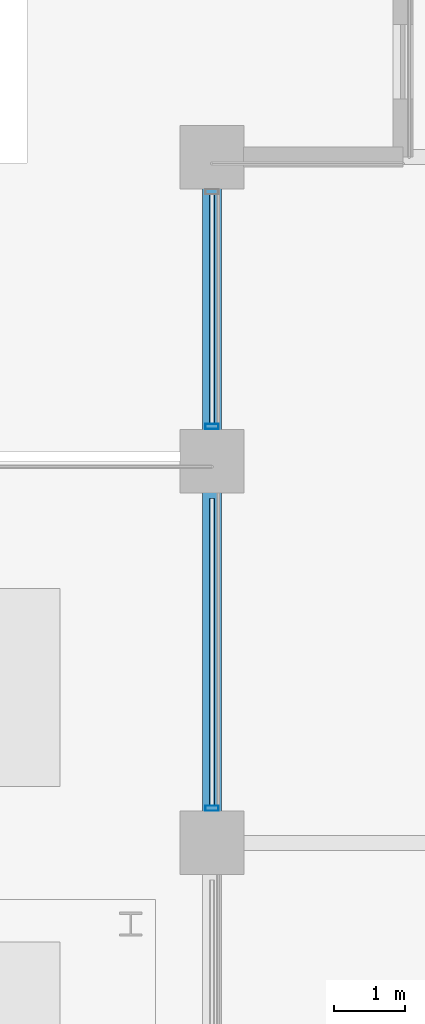
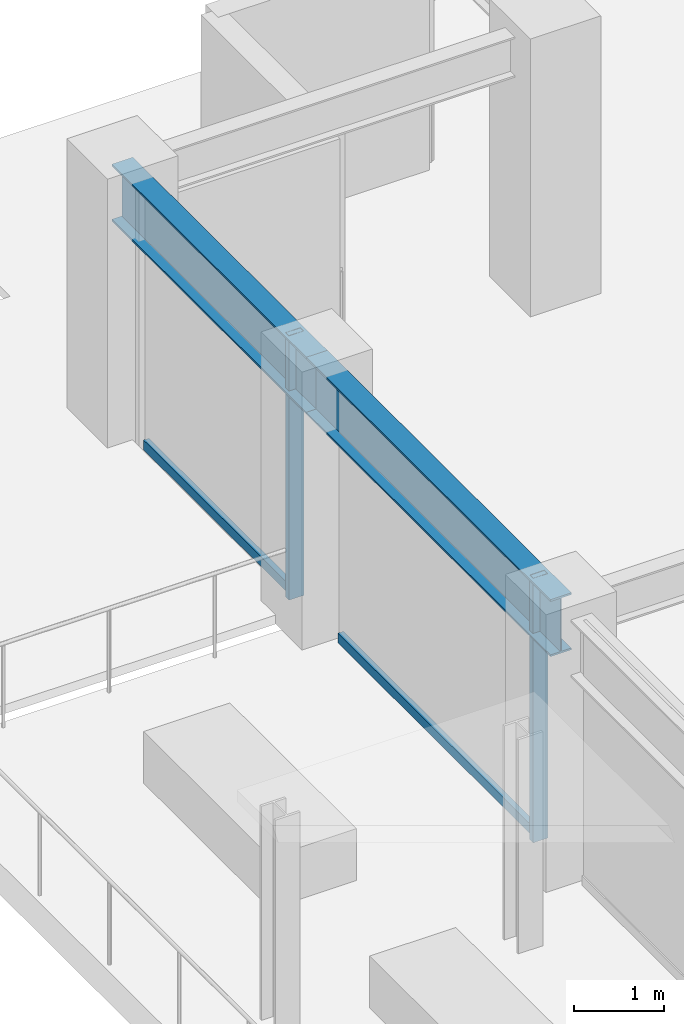
# One storey, part 15 of 36: 4 members, 2 beams, 1 element without a shape of its own.
"""IFC4 building model written with IfcOpenShell, lengths in metres."""

import ifcopenshell
import ifcopenshell.guid

model = None  # the IFC model being written
_history = None  # IfcOwnerHistory: only IFC2X3 demands one
_inside = {}  # id of a spatial element -> (the spatial element, [elements in it])
_under = {}  # id of a project, library or spatial element -> (it, [spatial elements below it])
_declared = {}  # id of a project -> (the project, [libraries it declares])
_typed = {}  # id of a type object -> (the type object, [elements of that type])
_made_of = {}  # id of a material, layer set ... -> (it, [elements and type objects made of it])


def new_model(schema):
    """Start an empty IFC model of exactly this schema.

    Asked for "IFC4X3", IfcOpenShell would pick the latest addendum, in which some entities
    have other attributes; the version numbers below select the first issue.
    IFC2X3 requires an IfcOwnerHistory on every rooted entity: one is made here for all.
    """
    global model, _history
    if schema == "IFC4X3":
        model = ifcopenshell.file(schema_version=(4, 3, 0, 0))
    else:
        model = ifcopenshell.file(schema=schema)
    _inside.clear()
    _under.clear()
    _declared.clear()
    _typed.clear()
    _made_of.clear()
    _history = None
    if model.schema == "IFC2X3":
        org = make("IfcOrganization", Name="unknown")
        user = make(
            "IfcPersonAndOrganization",
            ThePerson=make("IfcPerson", FamilyName="unknown"),
            TheOrganization=org,
        )
        app = make(
            "IfcApplication",
            ApplicationDeveloper=org,
            Version="unknown",
            ApplicationFullName="unknown",
            ApplicationIdentifier="unknown",
        )
        _history = make(
            "IfcOwnerHistory",
            OwningUser=user,
            OwningApplication=app,
            ChangeAction="ADDED",
            CreationDate=0,
        )
    return model


def make(cls, **values):
    """One entity of the class cls with the attributes given. An attribute that is None is left unset."""
    return model.create_entity(
        cls, **{name: value for name, value in values.items() if value is not None}
    )


def rooted(cls, **values):
    """An entity with a GlobalId (a new one), such as an element, a storey or a relation."""
    return make(cls, GlobalId=ifcopenshell.guid.new(), OwnerHistory=_history, **values)


def si_unit(unit_type, name, prefix=None):
    """IfcSIUnit, for example si_unit("LENGTHUNIT", "METRE", prefix="MILLI")."""
    return make("IfcSIUnit", UnitType=unit_type, Prefix=prefix, Name=name)


def assignment(units):
    """IfcUnitAssignment: the units of a project."""
    return None if units is None else make("IfcUnitAssignment", Units=units)


def point(xyz):
    """IfcCartesianPoint."""
    return None if xyz is None else make("IfcCartesianPoint", Coordinates=xyz)


def direction(xyz):
    """IfcDirection."""
    return None if xyz is None else make("IfcDirection", DirectionRatios=xyz)


def frame(location, z_axis=None, x_axis=None):
    """IfcAxis2Placement3D, a coordinate frame: its origin and axes. An axis left out is left unset."""
    return make(
        "IfcAxis2Placement3D",
        Location=point(location),
        Axis=direction(z_axis),
        RefDirection=direction(x_axis),
    )


def frame_2d(location, x_axis=None):
    """IfcAxis2Placement2D, a coordinate frame in the plane: its origin and x axis."""
    return make(
        "IfcAxis2Placement2D", Location=point(location), RefDirection=direction(x_axis)
    )


def origin():
    """The frame at (0, 0, 0) with its axes left unset."""
    return frame((0.0, 0.0, 0.0))


def origin_2d():
    """The frame at (0, 0) in the plane with its x axis left unset."""
    return frame_2d((0.0, 0.0))


def place(relative_to, where):
    """IfcLocalPlacement: puts the frame where relative to a parent placement (None: the world)."""
    return make(
        "IfcLocalPlacement", PlacementRelTo=relative_to, RelativePlacement=where
    )


def context(
    kind, dimensions, precision=None, world=None, true_north=None, identifier=None
):
    """IfcGeometricRepresentationContext, for example the 3D "Model" context."""
    return make(
        "IfcGeometricRepresentationContext",
        ContextIdentifier=identifier,
        ContextType=kind,
        CoordinateSpaceDimension=dimensions,
        Precision=precision,
        WorldCoordinateSystem=world,
        TrueNorth=true_north,
    )


def subcontext(parent, identifier, kind, view, scale=None):
    """IfcGeometricRepresentationSubContext, for example "Body" below "Model"."""
    return make(
        "IfcGeometricRepresentationSubContext",
        ContextIdentifier=identifier,
        ContextType=kind,
        ParentContext=parent,
        TargetScale=scale,
        TargetView=view,
    )


def project(units=None, contexts=None):
    """IfcProject with its units and contexts."""
    return rooted(
        "IfcProject",
        Name="project",
        RepresentationContexts=contexts,
        UnitsInContext=assignment(units),
    )


def spatial(cls, under=None, at=None, **own):
    """A site, building, storey or space (cls), placed at a placement, below another one or the project."""
    s = rooted(cls, ObjectPlacement=at, **own)
    if under is not None:
        _under.setdefault(under.id(), (under, []))[1].append(s)
    return s


def profile(cls, at=None, kind="AREA", **sizes):
    """A parametric profile (cls). Its sizes go by their IFC names, for example OverallWidth=200.0."""
    return make(cls, ProfileType=kind, Position=at, **sizes)


def hollow_rectangle(**sizes):
    """IfcRectangleHollowProfileDef."""
    return profile("IfcRectangleHollowProfileDef", **sizes)


def i_section(**sizes):
    """IfcIShapeProfileDef."""
    return profile("IfcIShapeProfileDef", **sizes)


def extrude(swept, where, along, depth):
    """IfcExtrudedAreaSolid: the profile swept, set in the frame where, extruded along a direction by depth."""
    return make(
        "IfcExtrudedAreaSolid",
        SweptArea=swept,
        Position=where,
        ExtrudedDirection=direction(along),
        Depth=depth,
    )


def shape(context_of_items, identifier, shape_type, items):
    """IfcShapeRepresentation: the items that make up one representation, for example the "Body"."""
    return make(
        "IfcShapeRepresentation",
        ContextOfItems=context_of_items,
        RepresentationIdentifier=identifier,
        RepresentationType=shape_type,
        Items=items,
    )


def material(Name=None, Category=None):
    """IfcMaterial."""
    return make("IfcMaterial", Name=Name, Category=Category)


def layer(
    of_material, thickness, ventilated=None, Name=None, Category=None, Priority=None
):
    """IfcMaterialLayer: one layer of a wall or slab, of a material (None: an air gap)."""
    return make(
        "IfcMaterialLayer",
        Material=of_material,
        LayerThickness=thickness,
        IsVentilated=ventilated,
        Name=Name,
        Category=Category,
        Priority=Priority,
    )


def layer_set(layers, Name=None):
    """IfcMaterialLayerSet."""
    return make("IfcMaterialLayerSet", MaterialLayers=layers, LayerSetName=Name)


def material_profile(
    of_material, cross_section, Name=None, Category=None, Priority=None
):
    """IfcMaterialProfile: a cross section and its material."""
    return make(
        "IfcMaterialProfile",
        Name=Name,
        Material=of_material,
        Profile=cross_section,
        Priority=Priority,
        Category=Category,
    )


def profile_set(profiles, Name=None, composite=None):
    """IfcMaterialProfileSet."""
    return make(
        "IfcMaterialProfileSet",
        Name=Name,
        MaterialProfiles=profiles,
        CompositeProfile=composite,
    )


def made_of(thing, what):
    """Note that an element or type object is made of a material, layer set ...; save() writes the relation."""
    if what is not None:
        _made_of.setdefault(what.id(), (what, []))[1].append(thing)
    return thing


def type_object(cls, material=None, **own):
    """A type object (cls), such as IfcWallType, which elements share."""
    return made_of(rooted(cls, **own), material)


def element(
    cls,
    number,
    at=None,
    inside=None,
    cuts=None,
    type_object=None,
    material=None,
    context=None,
    identifier="Body",
    shape_type=None,
    held_by="IfcProductDefinitionShape",
    body=None,
    shapes=None,
    **own,
):
    """One element of the class cls, such as IfcWall. Its Tag is "e" and its number.

    at: its placement. inside: the storey or other place that contains it. cuts: it is an
    opening in that element (IfcRelVoidsElement). A single representation is given by context,
    identifier, shape_type and body (its items); several are given by shapes. held_by: the class
    of the entity that holds the representations. save() writes the other relations.
    """
    e = rooted(cls, Tag="e%d" % number, ObjectPlacement=at, **own)
    if body is not None:
        shapes = [shape(context, identifier, shape_type, body)]
    if shapes is not None:
        e.Representation = make(held_by, Representations=shapes)
    if inside is not None:
        _inside.setdefault(inside.id(), (inside, []))[1].append(e)
    if cuts is not None:
        rooted(
            "IfcRelVoidsElement", RelatingBuildingElement=cuts, RelatedOpeningElement=e
        )
    if type_object is not None:
        _typed.setdefault(type_object.id(), (type_object, []))[1].append(e)
    return made_of(e, material)


def aggregate(whole, parts):
    """IfcRelAggregates: a whole, such as a stair, and the parts it consists of."""
    return rooted("IfcRelAggregates", RelatingObject=whole, RelatedObjects=parts)


def save(model, path):
    """Write the relations noted so far, then the file.

    IfcRelAggregates (storeys below a building ...), IfcRelContainedInSpatialStructure (elements
    in a storey), IfcRelDefinesByType, IfcRelAssociatesMaterial and IfcRelDeclares: one each for
    every whole, place, type object, material and project.
    """
    for whole, parts in _under.values():
        aggregate(whole, parts)
    for where, things in _inside.values():
        rooted(
            "IfcRelContainedInSpatialStructure",
            RelatedElements=things,
            RelatingStructure=where,
        )
    for kind, things in _typed.values():
        rooted("IfcRelDefinesByType", RelatedObjects=things, RelatingType=kind)
    for what, things in _made_of.values():
        rooted("IfcRelAssociatesMaterial", RelatedObjects=things, RelatingMaterial=what)
    for by, libraries in _declared.values():
        rooted("IfcRelDeclares", RelatingContext=by, RelatedDefinitions=libraries)
    model.write(path)


model = new_model("IFC4")

# Units and contexts
model_context = context("Model", 3, precision=1e-05, world=origin(), true_north=direction((0.0, 1.0)))
body_context = subcontext(model_context, "Body", "Model", "MODEL_VIEW")
ifc_project = project(units=[si_unit("LENGTHUNIT", "METRE"), si_unit("AREAUNIT", "SQUARE_METRE"), si_unit("VOLUMEUNIT", "CUBIC_METRE"), si_unit("PLANEANGLEUNIT", "RADIAN"), si_unit("MASSUNIT", "GRAM", prefix="KILO")], contexts=[model_context])

# Site, building, storey
site_placement = place(None, origin())
site = spatial("IfcSite", under=ifc_project, at=site_placement, CompositionType="ELEMENT")
building_placement = place(site_placement, origin())
building = spatial("IfcBuilding", under=site, at=building_placement, Name="Surkhivell Harbour Commons", CompositionType="ELEMENT")
storey_placement = place(building_placement, frame((0.0, 0.0, 171.0)))
storey = spatial("IfcBuildingStorey", under=building, at=storey_placement, Name="L44", CompositionType="ELEMENT", Elevation=171.0)

# Beams
ifc_material_1 = material(Name="Steel S355", Category="steel")
ifc_material_profile_1 = material_profile(ifc_material_1, i_section(OverallWidth=0.26806640625, OverallDepth=0.77001953125, WebThickness=0.015625, FlangeThickness=0.025390625, at=origin_2d()), Name="UB762x267x197")
ifc_profile_set_1 = profile_set([ifc_material_profile_1], Name="Steel S355")
beam_type = type_object("IfcBeamType", Name="BM-SPN-762", PredefinedType="SPANDREL", material=ifc_profile_set_1)
beam_1_placement = place(storey_placement, frame((-27.0, 10.800048828125, 3.18505859375), z_axis=(0.0, 1.0, 0.0), x_axis=(-1.0, 0.0, 0.0)))
element("IfcBeam", 1, at=beam_1_placement, inside=storey, type_object=beam_type, Name="L44 Tube Spandrel (-27.0,10.8)", PredefinedType="SPANDREL", context=body_context, shape_type="SweptSolid", body=[
    extrude(i_section(OverallWidth=0.26806640625, OverallDepth=0.77001953125, WebThickness=0.015625, FlangeThickness=0.025390625, at=origin_2d()), origin(), (0.0, 0.0, 1.0), 5.39990234375),
])
beam_2_placement = place(storey_placement, frame((-27.0, 16.199951171875, 3.18505859375), z_axis=(0.0, 1.0, 0.0), x_axis=(-1.0, 0.0, 0.0)))
element("IfcBeam", 2, at=beam_2_placement, inside=storey, type_object=beam_type, Name="L44 Tube Spandrel (-27.0,16.2)", PredefinedType="SPANDREL", context=body_context, shape_type="SweptSolid", body=[
    extrude(i_section(OverallWidth=0.26806640625, OverallDepth=0.77001953125, WebThickness=0.015625, FlangeThickness=0.025390625, at=origin_2d()), origin(), (0.0, 0.0, 1.0), 4.300048828125),
])

# Curtain wall, members
ifc_material_2 = material(Name="Anodised pale-metal aluminium and insulated glazing", Category="aluminium")
ifc_layer = layer(ifc_material_2, 0.18994140625)
ifc_layer_set = layer_set([ifc_layer], Name="Anodised pale-metal aluminium and insulated glazing")
curtain_wall_type = type_object("IfcCurtainWallType", Name="CW-SYS-Z3", PredefinedType="NOTDEFINED", material=ifc_layer_set)
curtain_wall_placement = place(storey_placement, origin())
curtain_wall = element("IfcCurtainWall", 3, at=curtain_wall_placement, inside=storey, type_object=curtain_wall_type, Name="L44 Curtain Wall CW-L44-E12B", PredefinedType="NOTDEFINED")
ifc_material_3 = material(Name="Anodised pale-metal aluminium alloy 6063-T6", Category="aluminium")
ifc_material_profile_2 = material_profile(ifc_material_3, hollow_rectangle(XDim=0.074951171875, YDim=0.18994140625, WallThickness=0.00390625, at=origin_2d()), Name="ALU-MULL-75x190")
ifc_profile_set_2 = profile_set([ifc_material_profile_2], Name="Anodised pale-metal aluminium alloy 6063-T6")
member_type_1 = type_object("IfcMemberType", Name="CWM-190", PredefinedType="MULLION", material=ifc_profile_set_2)
member_1_placement = place(storey_placement, frame((-27.0, 11.28955078125, 0.0), z_axis=(0.0, 0.0, 1.0), x_axis=(0.0, 1.0, 0.0)))
member_1 = element("IfcMember", 4, at=member_1_placement, type_object=member_type_1, Name="CW-Z3 mullion 2", PredefinedType="MULLION", context=body_context, shape_type="SweptSolid", body=[
    extrude(hollow_rectangle(XDim=0.074951171875, YDim=0.18994140625, WallThickness=0.00390625, at=origin_2d()), origin(), (0.0, 0.0, 1.0), 3.570068359375),
])
member_2_placement = place(storey_placement, frame((-27.0, 16.689453125, 0.0), z_axis=(0.0, 0.0, 1.0), x_axis=(0.0, 1.0, 0.0)))
member_2 = element("IfcMember", 5, at=member_2_placement, type_object=member_type_1, Name="CW-Z3 mullion 3", PredefinedType="MULLION", context=body_context, shape_type="SweptSolid", body=[
    extrude(hollow_rectangle(XDim=0.074951171875, YDim=0.18994140625, WallThickness=0.00390625, at=origin_2d()), origin(), (0.0, 0.0, 1.0), 3.570068359375),
])
ifc_material_4 = material(Name="Champagne anodised aluminium alloy 6063-T6", Category="aluminium")
ifc_material_profile_3 = material_profile(ifc_material_4, hollow_rectangle(XDim=0.070068359375, YDim=0.1298828125, WallThickness=0.00341796875, at=origin_2d()), Name="ALU-TRAN-70x130")
ifc_profile_set_3 = profile_set([ifc_material_profile_3], Name="Champagne anodised aluminium alloy 6063-T6")
member_type_2 = type_object("IfcMemberType", Name="CWT-130", PredefinedType="USERDEFINED", material=ifc_profile_set_3)
member_3_placement = place(storey_placement, frame((-27.0, 11.326904296875, 0.06494140625), z_axis=(0.0, 1.0, 0.0), x_axis=(-1.0, 0.0, 0.0)))
member_3 = element("IfcMember", 6, at=member_3_placement, type_object=member_type_2, Name="CW-Z3 transom 2.1", ObjectType="TRANSOM", PredefinedType="USERDEFINED", context=body_context, shape_type="SweptSolid", body=[
    extrude(hollow_rectangle(XDim=0.070068359375, YDim=0.1298828125, WallThickness=0.00341796875, at=origin_2d()), origin(), (0.0, 0.0, 1.0), 4.34619140625),
])
member_4_placement = place(storey_placement, frame((-27.0, 16.72705078125, 0.06494140625), z_axis=(0.0, 1.0, 0.0), x_axis=(-1.0, 0.0, 0.0)))
member_4 = element("IfcMember", 7, at=member_4_placement, type_object=member_type_2, Name="CW-Z3 transom 3.1", ObjectType="TRANSOM", PredefinedType="USERDEFINED", context=body_context, shape_type="SweptSolid", body=[
    extrude(hollow_rectangle(XDim=0.070068359375, YDim=0.1298828125, WallThickness=0.00341796875, at=origin_2d()), origin(), (0.0, 0.0, 1.0), 3.245849609375),
])
aggregate(curtain_wall, [member_1, member_3, member_2, member_4])

save(model, "model.ifc")
